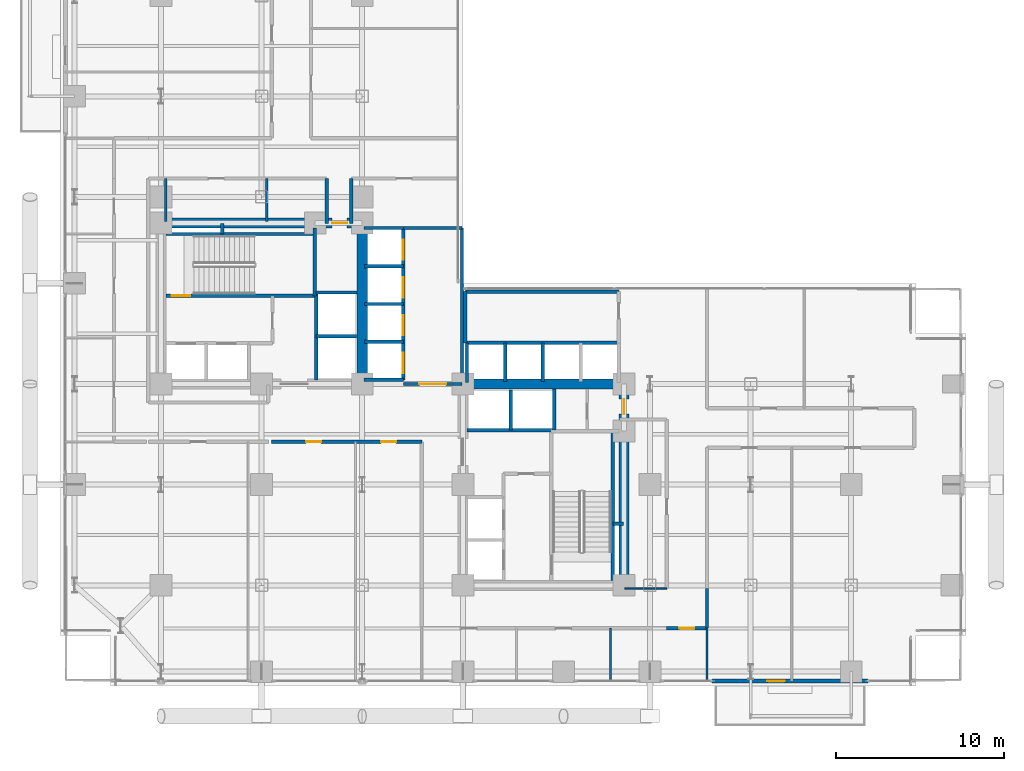
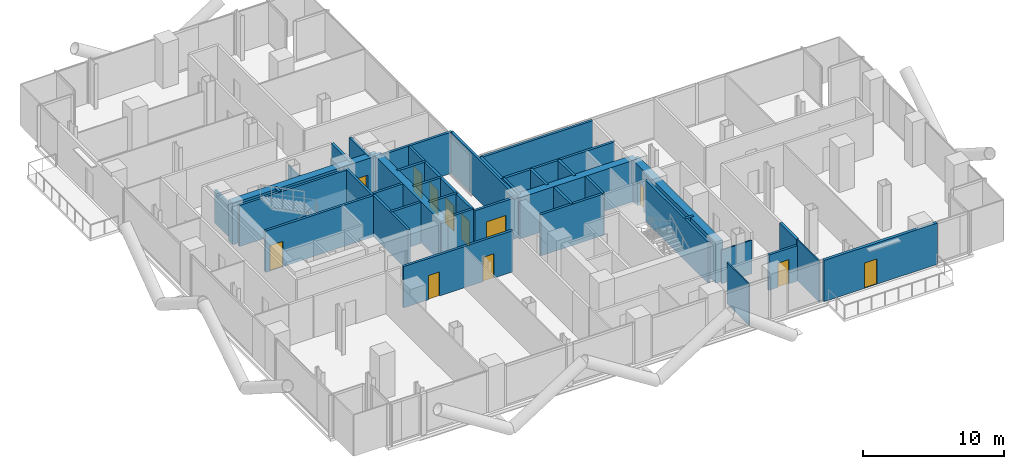
# One storey, part 22 of 27: 42 walls, 12 doors, 12 openings.
"""IFC4 building model written with IfcOpenShell, lengths in metres."""

from ifc_helpers import new_model, si_unit, direction, frame, frame_2d, origin, place, context, subcontext, project, spatial, rectangle, extrude, material, layer, layer_set, type_object, element, fill, save


model = new_model("IFC4")

# Units and contexts
model_context = context("Model", 3, precision=1e-05, world=origin(), true_north=direction((0.0, 1.0)))
body_context = subcontext(model_context, "Body", "Model", "MODEL_VIEW")
ifc_project = project(units=[si_unit("LENGTHUNIT", "METRE"), si_unit("AREAUNIT", "SQUARE_METRE"), si_unit("VOLUMEUNIT", "CUBIC_METRE"), si_unit("PLANEANGLEUNIT", "RADIAN"), si_unit("MASSUNIT", "GRAM", prefix="KILO"), si_unit("THERMODYNAMICTEMPERATUREUNIT", "KELVIN"), si_unit("POWERUNIT", "WATT")], contexts=[model_context])

# Site, building, storey
site_placement = place(None, origin())
site = spatial("IfcSite", under=ifc_project, at=site_placement, CompositionType="ELEMENT")
building_placement = place(site_placement, origin())
building = spatial("IfcBuilding", under=site, at=building_placement, Name="Svarakhadi Broadcast Tower", CompositionType="ELEMENT")
storey_placement = place(building_placement, frame((0.0, 0.0, 90.89990234375)))
storey = spatial("IfcBuildingStorey", under=building, at=storey_placement, Name="L21", CompositionType="ELEMENT", Elevation=90.89990234375)

# Wall, opening, door
ifc_material_1 = material(Name="Concrete C40/50 (IS 456 M50)", Category="concrete")
ifc_layer_1 = layer(ifc_material_1, 0.239990234375)
ifc_layer_set_1 = layer_set([ifc_layer_1], Name="Concrete C40/50 (IS 456 M50)")
wall_type_1 = type_object("IfcWallType", Name="Wall_Ext_240", PredefinedType="SOLIDWALL", material=ifc_layer_set_1)
wall_1_placement = place(storey_placement, frame((48.14501953125, 0.300048828125, 0.0), z_axis=(0.0, 0.0, 1.0), x_axis=(-1.0, 0.0, 0.0)))
wall_1 = element("IfcWall", 1, at=wall_1_placement, inside=storey, type_object=wall_type_1, Name="L21 South Tree Balcony Spandrel Wall", PredefinedType="SOLIDWALL", context=body_context, shape_type="SweptSolid", body=[
    extrude(rectangle(XDim=9.2900390625, YDim=0.239990234375, at=frame_2d((4.64501953125, 0.0))), origin(), (0.0, 0.0, 1.0), 3.5751953125),
])
opening_1_placement = place(wall_1_placement, frame((4.949951171875, 0.0, 0.0)))
opening_1 = element("IfcOpeningElement", 2, at=opening_1_placement, cuts=wall_1, Name="Opening ED-05", PredefinedType="OPENING", context=body_context, shape_type="SweptSolid", body=[
    extrude(rectangle(XDim=1.050048828125, YDim=2.199951171875, at=frame_2d((0.52490234375, 1.10009765625))), frame((0.0, 0.1298828125, 0.0), z_axis=(0.0, -1.0, 0.0), x_axis=(1.0, 0.0, 0.0)), (0.0, 0.0, 1.0), 0.260009765625),
])
ifc_material_2 = material(Name="Anodised Bronze Aluminium AA 6063-T6", Category="aluminium")
door_type_1 = type_object("IfcDoorType", Name="Door_Ext_ED05", OperationType="SINGLE_SWING_LEFT", PredefinedType="DOOR", material=ifc_material_2)
door_1_placement = place(opening_1_placement, origin())
door_1 = element("IfcDoor", 3, at=door_1_placement, inside=storey, type_object=door_type_1, Name="L21 South Tree Balcony Door", OperationType="SINGLE_SWING_LEFT", OverallHeight=2.199951171875, OverallWidth=1.050048828125, PredefinedType="DOOR", context=body_context, shape_type="SweptSolid", body=[
    extrude(rectangle(XDim=1.050048828125, YDim=2.199951171875, at=frame_2d((0.52490234375, 1.10009765625))), frame((0.0, 0.02490234375, 0.0), z_axis=(0.0, -1.0, 0.0), x_axis=(1.0, 0.0, 0.0)), (0.0, 0.0, 1.0), 0.050048828125),
])
fill(opening_1, door_1)

# Walls
ifc_layer_2 = layer(ifc_material_1, 0.199951171875)
ifc_layer_set_2 = layer_set([ifc_layer_2], Name="Concrete C40/50 (IS 456 M50)")
wall_type_2 = type_object("IfcWallType", Name="Wall_Fire_200", PredefinedType="SOLIDWALL", material=ifc_layer_set_2)
for number, where, z_axis, x_axis, name in (
    (4, (9.659912109375, 26.93994140625, 0.0), (0.0, 0.0, 1.0), (0.0, 1.0, 0.0), "L21 Wet Riser Shaft East Wall"),
    (5, (32.93994140625, 9.659912109375, 0.0), (0.0, 0.0, 1.0), (1.0, 0.0, 0.0), "L21 HV Busduct Riser Shaft North Wall"),
):
    element("IfcWall", number, at=place(storey_placement, frame(where, z_axis=z_axis, x_axis=x_axis)), inside=storey, type_object=wall_type_2, Name=name, PredefinedType="SOLIDWALL", context=body_context, shape_type="SweptSolid", body=[
        extrude(rectangle(XDim=0.64013671875, YDim=0.199951171875, at=frame_2d((0.320068359375, 0.0))), origin(), (0.0, 0.0, 1.0), 3.5751953125),
    ])
wall_2_placement = place(storey_placement, frame((38.550048828125, 5.800048828125, 0.0), z_axis=(0.0, 0.0, 1.0), x_axis=(0.0, -1.0, 0.0)))
element("IfcWall", 6, at=wall_2_placement, inside=storey, type_object=wall_type_2, Name="L21 Broadcast Corridor Wall", PredefinedType="SOLIDWALL", context=body_context, shape_type="SweptSolid", body=[
    extrude(rectangle(XDim=2.35009765625, YDim=0.199951171875, at=frame_2d((1.175048828125, 0.0))), origin(), (0.0, 0.0, 1.0), 3.5751953125),
])

# Wall, opening, door
wall_3_placement = place(storey_placement, frame((38.550048828125, 3.449951171875, 0.0), z_axis=(0.0, 0.0, 1.0), x_axis=(-1.0, 0.0, 0.0)))
wall_3 = element("IfcWall", 7, at=wall_3_placement, inside=storey, type_object=wall_type_2, Name="L21 Broadcast Corridor Wall", PredefinedType="SOLIDWALL", context=body_context, shape_type="SweptSolid", body=[
    extrude(rectangle(XDim=2.400146484375, YDim=0.199951171875, at=frame_2d((1.2001953125, 0.0))), origin(), (0.0, 0.0, 1.0), 3.067138671875),
])
opening_2_placement = place(wall_3_placement, frame((0.75, 0.0, 0.0)))
opening_2 = element("IfcOpeningElement", 8, at=opening_2_placement, cuts=wall_3, Name="Opening D-15", PredefinedType="OPENING", context=body_context, shape_type="SweptSolid", body=[
    extrude(rectangle(XDim=0.89990234375, YDim=2.10009765625, at=frame_2d((0.449951171875, 1.050048828125))), frame((0.0, 0.10986328125, 0.0), z_axis=(0.0, -1.0, 0.0), x_axis=(1.0, 0.0, 0.0)), (0.0, 0.0, 1.0), 0.219970703125),
])
ifc_material_3 = material(Name="Solid-Core Teak Veneer Acoustic Timber Leaf", Category="wood")
door_type_2 = type_object("IfcDoorType", Name="Door_Int_D15", OperationType="SINGLE_SWING_RIGHT", PredefinedType="DOOR", material=ifc_material_3)
door_2_placement = place(opening_2_placement, origin())
door_2 = element("IfcDoor", 9, at=door_2_placement, inside=storey, type_object=door_type_2, Name="L21 Broadcast Staff Refreshment Pantry Door", OperationType="SINGLE_SWING_RIGHT", OverallHeight=2.10009765625, OverallWidth=0.89990234375, PredefinedType="DOOR", context=body_context, shape_type="SweptSolid", body=[
    extrude(rectangle(XDim=0.89990234375, YDim=2.10009765625, at=frame_2d((0.449951171875, 1.050048828125))), frame((0.0, 0.02490234375, 0.0), z_axis=(0.0, -1.0, 0.0), x_axis=(1.0, 0.0, 0.0)), (0.0, 0.0, 1.0), 0.050048828125),
])
fill(opening_2, door_2)

# Wall, openings, doors
wall_4_placement = place(storey_placement, frame((21.550048828125, 14.550048828125, 0.0), z_axis=(0.0, 0.0, 1.0), x_axis=(-1.0, 0.0, 0.0)))
wall_4 = element("IfcWall", 10, at=wall_4_placement, inside=storey, type_object=wall_type_2, Name="L21 Broadcast Corridor Wall", PredefinedType="SOLIDWALL", context=body_context, shape_type="SweptSolid", body=[
    extrude(rectangle(XDim=8.949951171875, YDim=0.199951171875, at=frame_2d((4.47509765625, 0.0))), origin(), (0.0, 0.0, 1.0), 3.5751953125),
])
opening_3_placement = place(wall_4_placement, frame((6.0, 0.0, 0.0)))
opening_3 = element("IfcOpeningElement", 11, at=opening_3_placement, cuts=wall_4, Name="Opening D-14", PredefinedType="OPENING", context=body_context, shape_type="SweptSolid", body=[
    extrude(rectangle(XDim=0.89990234375, YDim=2.10009765625, at=frame_2d((0.449951171875, 1.050048828125))), frame((0.0, 0.10986328125, 0.0), z_axis=(0.0, -1.0, 0.0), x_axis=(1.0, 0.0, 0.0)), (0.0, 0.0, 1.0), 0.219970703125),
])
opening_4_placement = place(wall_4_placement, frame((1.52490234375, 0.0, 0.0)))
opening_4 = element("IfcOpeningElement", 12, at=opening_4_placement, cuts=wall_4, Name="Opening D-15", PredefinedType="OPENING", context=body_context, shape_type="SweptSolid", body=[
    extrude(rectangle(XDim=0.89990234375, YDim=2.10009765625, at=frame_2d((0.449951171875, 1.050048828125))), frame((0.0, 0.10986328125, 0.0), z_axis=(0.0, -1.0, 0.0), x_axis=(1.0, 0.0, 0.0)), (0.0, 0.0, 1.0), 0.219970703125),
])
door_type_3 = type_object("IfcDoorType", Name="Door_Int_D14", OperationType="SINGLE_SWING_LEFT", PredefinedType="DOOR", material=ifc_material_3)
door_3_placement = place(opening_3_placement, origin())
door_3 = element("IfcDoor", 13, at=door_3_placement, inside=storey, type_object=door_type_3, Name="L21 Standards and Practices Boardroom Door", OperationType="SINGLE_SWING_LEFT", OverallHeight=2.10009765625, OverallWidth=0.89990234375, PredefinedType="DOOR", context=body_context, shape_type="SweptSolid", body=[
    extrude(rectangle(XDim=0.89990234375, YDim=2.10009765625, at=frame_2d((0.449951171875, 1.050048828125))), frame((0.0, 0.02490234375, 0.0), z_axis=(0.0, -1.0, 0.0), x_axis=(1.0, 0.0, 0.0)), (0.0, 0.0, 1.0), 0.050048828125),
])
fill(opening_3, door_3)
door_4_placement = place(opening_4_placement, origin())
door_4 = element("IfcDoor", 14, at=door_4_placement, inside=storey, type_object=door_type_2, Name="L21 Executive Secretariat Door", OperationType="SINGLE_SWING_RIGHT", OverallHeight=2.10009765625, OverallWidth=0.89990234375, PredefinedType="DOOR", context=body_context, shape_type="SweptSolid", body=[
    extrude(rectangle(XDim=0.89990234375, YDim=2.10009765625, at=frame_2d((0.449951171875, 1.050048828125))), frame((0.0, 0.02490234375, 0.0), z_axis=(0.0, -1.0, 0.0), x_axis=(1.0, 0.0, 0.0)), (0.0, 0.0, 1.0), 0.050048828125),
])
fill(opening_4, door_4)

# Walls
for number, where, z_axis, x_axis, name in (
    (15, (17.35009765625, 30.25, 0.0), (0.0, 0.0, 1.0), (0.0, -1.0, 0.0), "L21 Broadcast Corridor Wall"),
    (16, (15.8798828125, 27.580078125, 0.0), (0.0, 0.0, 1.0), (0.0, 1.0, 0.0), "L21 Broadcast Corridor Wall"),
):
    element("IfcWall", number, at=place(storey_placement, frame(where, z_axis=z_axis, x_axis=x_axis)), inside=storey, type_object=wall_type_2, Name=name, PredefinedType="SOLIDWALL", context=body_context, shape_type="SweptSolid", body=[
        extrude(rectangle(XDim=2.669921875, YDim=0.199951171875, at=frame_2d((1.3349609375, 0.0))), origin(), (0.0, 0.0, 1.0), 3.5751953125),
    ])
ifc_material_4 = material(Name="Fire-Rated Moisture-Resistant Gypsum Board Partition", Category="gypsum")
ifc_layer_3 = layer(ifc_material_4, 0.10009765625)
ifc_layer_set_3 = layer_set([ifc_layer_3], Name="Fire-Rated Moisture-Resistant Gypsum Board Partition")
wall_type_3 = type_object("IfcWallType", Name="Wall_Part_100", PredefinedType="PARTITIONING", material=ifc_layer_set_3)
for number, where, z_axis, x_axis, name in (
    (17, (32.800048828125, 0.300048828125, 0.0), (0.0, 0.0, 1.0), (0.0, 1.0, 0.0), "L21 Media Legal Review Office Wall"),
    (18, (38.550048828125, 0.300048828125, 0.0), (0.0, 0.0, 1.0), (0.0, 1.0, 0.0), "L21 Broadcast Staff Refreshment Pantry Wall"),
):
    element("IfcWall", number, at=place(storey_placement, frame(where, z_axis=z_axis, x_axis=x_axis)), inside=storey, type_object=wall_type_3, Name=name, PredefinedType="PARTITIONING", context=body_context, shape_type="SweptSolid", body=[
        extrude(rectangle(XDim=3.14990234375, YDim=0.10009765625, at=frame_2d((1.574951171875, 0.0))), origin(), (0.0, 0.0, 1.0), 3.5751953125),
    ])
wall_5_placement = place(storey_placement, frame((33.64990234375, 5.800048828125, 0.0), z_axis=(0.0, 0.0, 1.0), x_axis=(1.0, 0.0, 0.0)))
element("IfcWall", 19, at=wall_5_placement, inside=storey, type_object=wall_type_3, Name="L21 Live Feed Monitoring Studio Wall", PredefinedType="PARTITIONING", context=body_context, shape_type="SweptSolid", body=[
    extrude(rectangle(XDim=2.5, YDim=0.10009765625, at=frame_2d((1.25, 0.0))), origin(), (0.0, 0.0, 1.0), 2.9169921875),
])
ifc_material_5 = material(Name="Autoclaved Aerated Concrete Blockwork 150 mm", Category="masonry")
ifc_layer_4 = layer(ifc_material_5, 0.14990234375)
ifc_layer_set_4 = layer_set([ifc_layer_4], Name="Autoclaved Aerated Concrete Blockwork 150 mm")
wall_type_4 = type_object("IfcWallType", Name="Wall_Part_150", PredefinedType="PARTITIONING", material=ifc_layer_set_4)
for number, where, z_axis, x_axis, name in (
    (20, (6.300048828125, 27.679931640625, 0.0), (0.0, 0.0, 1.0), (0.0, 1.0, 0.0), "L21 Accessible Toilet WC Wall"),
    (21, (12.300048828125, 27.679931640625, 0.0), (0.0, 0.0, 1.0), (0.0, 1.0, 0.0), "L21 Accessible Toilet WC Wall"),
):
    element("IfcWall", number, at=place(storey_placement, frame(where, z_axis=z_axis, x_axis=x_axis)), inside=storey, type_object=wall_type_4, Name=name, PredefinedType="PARTITIONING", context=body_context, shape_type="SweptSolid", body=[
        extrude(rectangle(XDim=2.570068359375, YDim=0.14990234375, at=frame_2d((1.28515625, 0.0))), origin(), (0.0, 0.0, 1.0), 2.9169921875),
    ])

# Wall, opening, door
ifc_material_6 = material(Name="Concrete C50/60 (IS 456 M60)", Category="concrete")
ifc_layer_5 = layer(ifc_material_6, 0.199951171875)
ifc_layer_set_5 = layer_set([ifc_layer_5], Name="Concrete C50/60 (IS 456 M60)")
wall_type_5 = type_object("IfcWallType", Name="Wall_Shear_200", PredefinedType="SHEAR", material=ifc_layer_set_5)
wall_6_placement = place(storey_placement, frame((6.300048828125, 23.260009765625, 0.0), z_axis=(0.0, 0.0, 1.0), x_axis=(1.0, 0.0, 0.0)))
wall_6 = element("IfcWall", 22, at=wall_6_placement, inside=storey, type_object=wall_type_5, Name="L21 Stair ST-01 South RC Shaft Wall", PredefinedType="SHEAR", context=body_context, shape_type="SweptSolid", body=[
    extrude(rectangle(XDim=8.8798828125, YDim=0.199951171875, at=frame_2d((4.43994140625, 0.0))), origin(), (0.0, 0.0, 1.0), 3.5751953125),
])
opening_5_placement = place(wall_6_placement, frame((0.35009765625, 0.0, 0.0)))
opening_5 = element("IfcOpeningElement", 23, at=opening_5_placement, cuts=wall_6, Name="Opening D-01", PredefinedType="OPENING", context=body_context, shape_type="SweptSolid", body=[
    extrude(rectangle(XDim=1.10009765625, YDim=2.199951171875, at=frame_2d((0.550048828125, 1.10009765625))), frame((0.0, 0.10986328125, 0.0), z_axis=(0.0, -1.0, 0.0), x_axis=(1.0, 0.0, 0.0)), (0.0, 0.0, 1.0), 0.219970703125),
])
ifc_material_7 = material(Name="Galvanised Powder-Coated Fire-Rated Steel Leaf", Category="steel")
door_type_4 = type_object("IfcDoorType", Name="Door_Stair_D01", OperationType="SINGLE_SWING_LEFT", PredefinedType="DOOR", material=ifc_material_7)
door_5_placement = place(opening_5_placement, origin())
door_5 = element("IfcDoor", 24, at=door_5_placement, inside=storey, type_object=door_type_4, Name="L21 Protected Exit Stair ST-01 Fire Door", OperationType="SINGLE_SWING_LEFT", OverallHeight=2.199951171875, OverallWidth=1.10009765625, PredefinedType="DOOR", context=body_context, shape_type="SweptSolid", body=[
    extrude(rectangle(XDim=1.10009765625, YDim=2.199951171875, at=frame_2d((0.550048828125, 1.10009765625))), frame((0.0, 0.02490234375, 0.0), z_axis=(0.0, -1.0, 0.0), x_axis=(1.0, 0.0, 0.0)), (0.0, 0.0, 1.0), 0.050048828125),
])
fill(opening_5, door_5)

# Walls
wall_7_placement = place(storey_placement, frame((6.300048828125, 26.93994140625, 0.0), z_axis=(0.0, 0.0, 1.0), x_axis=(1.0, 0.0, 0.0)))
element("IfcWall", 25, at=wall_7_placement, inside=storey, type_object=wall_type_5, Name="L21 Stair ST-01 North RC Shaft Wall", PredefinedType="SHEAR", context=body_context, shape_type="SweptSolid", body=[
    extrude(rectangle(XDim=8.8798828125, YDim=0.199951171875, at=frame_2d((4.43994140625, 0.0))), origin(), (0.0, 0.0, 1.0), 3.5751953125),
])
wall_8_placement = place(storey_placement, frame((15.179931640625, 23.260009765625, 0.0), z_axis=(0.0, 0.0, 1.0), x_axis=(0.0, 1.0, 0.0)))
element("IfcWall", 26, at=wall_8_placement, inside=storey, type_object=wall_type_5, Name="L21 Stair ST-01 East RC Shaft Wall", PredefinedType="SHEAR", context=body_context, shape_type="SweptSolid", body=[
    extrude(rectangle(XDim=4.0400390625, YDim=0.199951171875, at=frame_2d((2.02001953125, 0.0))), origin(), (0.0, 0.0, 1.0), 3.5751953125),
])
wall_9_placement = place(storey_placement, frame((32.93994140625, 6.300048828125, 0.0), z_axis=(0.0, 0.0, 1.0), x_axis=(0.0, 1.0, 0.0)))
element("IfcWall", 27, at=wall_9_placement, inside=storey, type_object=wall_type_5, Name="L21 Stair ST-02 East RC Shaft Wall", PredefinedType="SHEAR", context=body_context, shape_type="SweptSolid", body=[
    extrude(rectangle(XDim=8.8798828125, YDim=0.199951171875, at=frame_2d((4.43994140625, 0.0))), origin(), (0.0, 0.0, 1.0), 3.5751953125),
])
wall_10_placement = place(storey_placement, frame((15.25, 18.25, 0.0), z_axis=(0.0, 0.0, 1.0), x_axis=(0.0, 1.0, 0.0)))
element("IfcWall", 28, at=wall_10_placement, inside=storey, type_object=wall_type_5, Name="L21 High-Rise Lift LF-13/14 West Shaft Wall", PredefinedType="SHEAR", context=body_context, shape_type="SweptSolid", body=[
    extrude(rectangle(XDim=5.199951171875, YDim=0.199951171875, at=frame_2d((2.60009765625, 0.0))), origin(), (0.0, 0.0, 1.0), 3.5751953125),
])
wall_11_placement = place(storey_placement, frame((15.25, 20.85009765625, 0.0), z_axis=(0.0, 0.0, 1.0), x_axis=(1.0, 0.0, 0.0)))
element("IfcWall", 29, at=wall_11_placement, inside=storey, type_object=wall_type_5, Name="L21 High-Rise Lift LF-13/14 Divider", PredefinedType="SHEAR", context=body_context, shape_type="SweptSolid", body=[
    extrude(rectangle(XDim=2.39990234375, YDim=0.199951171875, at=frame_2d((1.199951171875, 0.0))), origin(), (0.0, 0.0, 1.0), 3.5751953125),
])
wall_12_placement = place(storey_placement, frame((15.25, 23.449951171875, 0.0), z_axis=(0.0, 0.0, 1.0), x_axis=(1.0, 0.0, 0.0)))
element("IfcWall", 30, at=wall_12_placement, inside=storey, type_object=wall_type_5, Name="L21 High-Rise Lift LF-13/14 North Wall", PredefinedType="SHEAR", context=body_context, shape_type="SweptSolid", body=[
    extrude(rectangle(XDim=2.449951171875, YDim=0.199951171875, at=frame_2d((1.22509765625, 0.0))), origin(), (0.0, 0.0, 1.0), 3.5751953125),
])
wall_13_placement = place(storey_placement, frame((24.25, 15.25, 0.0), z_axis=(0.0, 0.0, 1.0), x_axis=(1.0, 0.0, 0.0)))
element("IfcWall", 31, at=wall_13_placement, inside=storey, type_object=wall_type_5, Name="L21 High-Rise Lift LF-15/16 South Shaft Wall", PredefinedType="SHEAR", context=body_context, shape_type="SweptSolid", body=[
    extrude(rectangle(XDim=5.199951171875, YDim=0.199951171875, at=frame_2d((2.60009765625, 0.0))), origin(), (0.0, 0.0, 1.0), 3.5751953125),
])
wall_14_placement = place(storey_placement, frame((26.85009765625, 15.25, 0.0), z_axis=(0.0, 0.0, 1.0), x_axis=(0.0, 1.0, 0.0)))
element("IfcWall", 32, at=wall_14_placement, inside=storey, type_object=wall_type_5, Name="L21 High-Rise Lift LF-15/16 Divider", PredefinedType="SHEAR", context=body_context, shape_type="SweptSolid", body=[
    extrude(rectangle(XDim=2.39990234375, YDim=0.199951171875, at=frame_2d((1.199951171875, 0.0))), origin(), (0.0, 0.0, 1.0), 3.5751953125),
])
wall_15_placement = place(storey_placement, frame((29.449951171875, 15.25, 0.0), z_axis=(0.0, 0.0, 1.0), x_axis=(0.0, 1.0, 0.0)))
element("IfcWall", 33, at=wall_15_placement, inside=storey, type_object=wall_type_5, Name="L21 High-Rise Lift LF-15/16 East Wall", PredefinedType="SHEAR", context=body_context, shape_type="SweptSolid", body=[
    extrude(rectangle(XDim=2.449951171875, YDim=0.199951171875, at=frame_2d((1.22509765625, 0.0))), origin(), (0.0, 0.0, 1.0), 3.5751953125),
])
for number, where, z_axis, x_axis, name in (
    (34, (18.10009765625, 27.300048828125, 0.0), (0.0, 0.0, 1.0), (1.0, 0.0, 0.0), "L21 Bank A North Shaft Wall"),
    (35, (18.10009765625, 18.25, 0.0), (0.0, 0.0, 1.0), (1.0, 0.0, 0.0), "L21 Bank A South Shaft Wall"),
):
    element("IfcWall", number, at=place(storey_placement, frame(where, z_axis=z_axis, x_axis=x_axis)), inside=storey, type_object=wall_type_5, Name=name, PredefinedType="SHEAR", context=body_context, shape_type="SweptSolid", body=[
        extrude(rectangle(XDim=2.349853515625, YDim=0.199951171875, at=frame_2d((1.1748046875, 0.0))), origin(), (0.0, 0.0, 1.0), 3.5751953125),
    ])

# Wall, openings, doors
wall_16_placement = place(storey_placement, frame((20.449951171875, 18.25, 0.0), z_axis=(0.0, 0.0, 1.0), x_axis=(0.0, 1.0, 0.0)))
wall_16 = element("IfcWall", 36, at=wall_16_placement, inside=storey, type_object=wall_type_5, Name="L21 Bank A East Landing Wall", PredefinedType="SHEAR", context=body_context, shape_type="SweptSolid", body=[
    extrude(rectangle(XDim=9.050048828125, YDim=0.199951171875, at=frame_2d((4.52490234375, 0.0))), origin(), (0.0, 0.0, 1.0), 3.5751953125),
])
opening_6_placement = place(wall_16_placement, frame((0.39990234375, 0.0, 0.0)))
opening_6 = element("IfcOpeningElement", 37, at=opening_6_placement, cuts=wall_16, Name="Opening LD-02", PredefinedType="OPENING", context=body_context, shape_type="SweptSolid", body=[
    extrude(rectangle(XDim=1.199951171875, YDim=2.199951171875, at=frame_2d((0.60009765625, 1.10009765625))), frame((0.0, 0.10986328125, 0.0), z_axis=(0.0, -1.0, 0.0), x_axis=(1.0, 0.0, 0.0)), (0.0, 0.0, 1.0), 0.219970703125),
])
opening_7_placement = place(wall_16_placement, frame((2.64990234375, 0.0, 0.0)))
opening_7 = element("IfcOpeningElement", 38, at=opening_7_placement, cuts=wall_16, Name="Opening LD-02", PredefinedType="OPENING", context=body_context, shape_type="SweptSolid", body=[
    extrude(rectangle(XDim=1.199951171875, YDim=2.199951171875, at=frame_2d((0.60009765625, 1.10009765625))), frame((0.0, 0.10986328125, 0.0), z_axis=(0.0, -1.0, 0.0), x_axis=(1.0, 0.0, 0.0)), (0.0, 0.0, 1.0), 0.219970703125),
])
opening_8_placement = place(wall_16_placement, frame((4.89990234375, 0.0, 0.0)))
opening_8 = element("IfcOpeningElement", 39, at=opening_8_placement, cuts=wall_16, Name="Opening LD-02", PredefinedType="OPENING", context=body_context, shape_type="SweptSolid", body=[
    extrude(rectangle(XDim=1.199951171875, YDim=2.199951171875, at=frame_2d((0.60009765625, 1.10009765625))), frame((0.0, 0.10986328125, 0.0), z_axis=(0.0, -1.0, 0.0), x_axis=(1.0, 0.0, 0.0)), (0.0, 0.0, 1.0), 0.219970703125),
])
opening_9_placement = place(wall_16_placement, frame((7.14990234375, 0.0, 0.0)))
opening_9 = element("IfcOpeningElement", 40, at=opening_9_placement, cuts=wall_16, Name="Opening LD-02", PredefinedType="OPENING", context=body_context, shape_type="SweptSolid", body=[
    extrude(rectangle(XDim=1.199951171875, YDim=2.199951171875, at=frame_2d((0.60009765625, 1.10009765625))), frame((0.0, 0.10986328125, 0.0), z_axis=(0.0, -1.0, 0.0), x_axis=(1.0, 0.0, 0.0)), (0.0, 0.0, 1.0), 0.219970703125),
])
door_type_5 = type_object("IfcDoorType", Name="Door_Lift_LD02", OperationType="SLIDING_TO_RIGHT", PredefinedType="DOOR", material=ifc_material_7)
door_6_placement = place(opening_6_placement, origin())
door_6 = element("IfcDoor", 41, at=door_6_placement, inside=storey, type_object=door_type_5, Name="L21 Low-Rise Lift LF-05 Landing Door", OperationType="SLIDING_TO_RIGHT", OverallHeight=2.199951171875, OverallWidth=1.199951171875, PredefinedType="DOOR", context=body_context, shape_type="SweptSolid", body=[
    extrude(rectangle(XDim=1.199951171875, YDim=2.199951171875, at=frame_2d((0.60009765625, 1.10009765625))), frame((0.0, 0.02490234375, 0.0), z_axis=(0.0, -1.0, 0.0), x_axis=(1.0, 0.0, 0.0)), (0.0, 0.0, 1.0), 0.050048828125),
])
fill(opening_6, door_6)
door_7_placement = place(opening_7_placement, origin())
door_7 = element("IfcDoor", 42, at=door_7_placement, inside=storey, type_object=door_type_5, Name="L21 Low-Rise Lift LF-06 Landing Door", OperationType="SLIDING_TO_RIGHT", OverallHeight=2.199951171875, OverallWidth=1.199951171875, PredefinedType="DOOR", context=body_context, shape_type="SweptSolid", body=[
    extrude(rectangle(XDim=1.199951171875, YDim=2.199951171875, at=frame_2d((0.60009765625, 1.10009765625))), frame((0.0, 0.02490234375, 0.0), z_axis=(0.0, -1.0, 0.0), x_axis=(1.0, 0.0, 0.0)), (0.0, 0.0, 1.0), 0.050048828125),
])
fill(opening_7, door_7)
door_8_placement = place(opening_8_placement, origin())
door_8 = element("IfcDoor", 43, at=door_8_placement, inside=storey, type_object=door_type_5, Name="L21 Low-Rise Lift LF-07 Landing Door", OperationType="SLIDING_TO_RIGHT", OverallHeight=2.199951171875, OverallWidth=1.199951171875, PredefinedType="DOOR", context=body_context, shape_type="SweptSolid", body=[
    extrude(rectangle(XDim=1.199951171875, YDim=2.199951171875, at=frame_2d((0.60009765625, 1.10009765625))), frame((0.0, 0.02490234375, 0.0), z_axis=(0.0, -1.0, 0.0), x_axis=(1.0, 0.0, 0.0)), (0.0, 0.0, 1.0), 0.050048828125),
])
fill(opening_8, door_8)
door_9_placement = place(opening_9_placement, origin())
door_9 = element("IfcDoor", 44, at=door_9_placement, inside=storey, type_object=door_type_5, Name="L21 Low-Rise Lift LF-08 Landing Door", OperationType="SLIDING_TO_RIGHT", OverallHeight=2.199951171875, OverallWidth=1.199951171875, PredefinedType="DOOR", context=body_context, shape_type="SweptSolid", body=[
    extrude(rectangle(XDim=1.199951171875, YDim=2.199951171875, at=frame_2d((0.60009765625, 1.10009765625))), frame((0.0, 0.02490234375, 0.0), z_axis=(0.0, -1.0, 0.0), x_axis=(1.0, 0.0, 0.0)), (0.0, 0.0, 1.0), 0.050048828125),
])
fill(opening_9, door_9)

# Walls
for number, where, z_axis, x_axis, name in (
    (45, (18.14990234375, 20.52001953125, 0.0), (0.0, 0.0, 1.0), (1.0, 0.0, 0.0), "L21 Bank A Divider"),
    (46, (18.14990234375, 22.77001953125, 0.0), (0.0, 0.0, 1.0), (1.0, 0.0, 0.0), "L21 Bank A Divider"),
    (47, (18.14990234375, 25.02001953125, 0.0), (0.0, 0.0, 1.0), (1.0, 0.0, 0.0), "L21 Bank A Divider"),
):
    element("IfcWall", number, at=place(storey_placement, frame(where, z_axis=z_axis, x_axis=x_axis)), inside=storey, type_object=wall_type_5, Name=name, PredefinedType="SHEAR", context=body_context, shape_type="SweptSolid", body=[
        extrude(rectangle(XDim=2.300048828125, YDim=0.199951171875, at=frame_2d((1.14990234375, 0.0))), origin(), (0.0, 0.0, 1.0), 3.5751953125),
    ])

# Wall, opening, door
wall_17_placement = place(storey_placement, frame((20.449951171875, 18.0, 0.0), z_axis=(0.0, 0.0, 1.0), x_axis=(1.0, 0.0, 0.0)))
wall_17 = element("IfcWall", 48, at=wall_17_placement, inside=storey, type_object=wall_type_5, Name="L21 Bank A Lift Hall South Wall", PredefinedType="SHEAR", context=body_context, shape_type="SweptSolid", body=[
    extrude(rectangle(XDim=3.5, YDim=0.199951171875, at=frame_2d((1.75, 0.0))), origin(), (0.0, 0.0, 1.0), 3.5751953125),
])
opening_10_placement = place(wall_17_placement, frame((0.949951171875, 0.0, 0.0)))
opening_10 = element("IfcOpeningElement", 49, at=opening_10_placement, cuts=wall_17, Name="Opening D-05", PredefinedType="OPENING", context=body_context, shape_type="SweptSolid", body=[
    extrude(rectangle(XDim=1.60009765625, YDim=2.300048828125, at=frame_2d((0.800048828125, 1.14990234375))), frame((0.0, 0.10986328125, 0.0), z_axis=(0.0, -1.0, 0.0), x_axis=(1.0, 0.0, 0.0)), (0.0, 0.0, 1.0), 0.219970703125),
])
door_type_6 = type_object("IfcDoorType", Name="Door_Lobby_D05", OperationType="DOUBLE_DOOR_SLIDING", PredefinedType="DOOR", material=ifc_material_2)
door_10_placement = place(opening_10_placement, origin())
door_10 = element("IfcDoor", 50, at=door_10_placement, inside=storey, type_object=door_type_6, Name="L21 Low-Rise Lift Hall Corridor Door", OperationType="DOUBLE_DOOR_SLIDING", OverallHeight=2.300048828125, OverallWidth=1.60009765625, PredefinedType="DOOR", context=body_context, shape_type="SweptSolid", body=[
    extrude(rectangle(XDim=1.60009765625, YDim=2.300048828125, at=frame_2d((0.800048828125, 1.14990234375))), frame((0.0, 0.02490234375, 0.0), z_axis=(0.0, -1.0, 0.0), x_axis=(1.0, 0.0, 0.0)), (0.0, 0.0, 1.0), 0.050048828125),
])
fill(opening_10, door_10)

# Walls
wall_18_placement = place(storey_placement, frame((20.449951171875, 27.300048828125, 0.0), z_axis=(0.0, 0.0, 1.0), x_axis=(1.0, 0.0, 0.0)))
element("IfcWall", 51, at=wall_18_placement, inside=storey, type_object=wall_type_5, Name="L21 Bank A Lift Hall North Wall", PredefinedType="SHEAR", context=body_context, shape_type="SweptSolid", body=[
    extrude(rectangle(XDim=3.5, YDim=0.199951171875, at=frame_2d((1.75, 0.0))), origin(), (0.0, 0.0, 1.0), 3.5751953125),
])
wall_19_placement = place(storey_placement, frame((23.949951171875, 18.0, 0.0), z_axis=(0.0, 0.0, 1.0), x_axis=(0.0, 1.0, 0.0)))
element("IfcWall", 52, at=wall_19_placement, inside=storey, type_object=wall_type_5, Name="L21 Bank A Lift Hall East Wall", PredefinedType="SHEAR", context=body_context, shape_type="SweptSolid", body=[
    extrude(rectangle(XDim=9.300048828125, YDim=0.199951171875, at=frame_2d((4.64990234375, 0.0))), origin(), (0.0, 0.0, 1.0), 3.5751953125),
])
wall_20_placement = place(storey_placement, frame((24.25, 18.10009765625, 0.0), z_axis=(0.0, 0.0, 1.0), x_axis=(0.0, 1.0, 0.0)))
element("IfcWall", 53, at=wall_20_placement, inside=storey, type_object=wall_type_5, Name="L21 Bank B West Shaft Wall", PredefinedType="SHEAR", context=body_context, shape_type="SweptSolid", body=[
    extrude(rectangle(XDim=2.349853515625, YDim=0.199951171875, at=frame_2d((1.1748046875, 0.0))), origin(), (0.0, 0.0, 1.0), 3.5751953125),
])
wall_21_placement = place(storey_placement, frame((24.25, 20.449951171875, 0.0), z_axis=(0.0, 0.0, 1.0), x_axis=(1.0, 0.0, 0.0)))
element("IfcWall", 54, at=wall_21_placement, inside=storey, type_object=wall_type_5, Name="L21 Bank B North Landing Wall", PredefinedType="SHEAR", context=body_context, shape_type="SweptSolid", body=[
    extrude(rectangle(XDim=9.050048828125, YDim=0.199951171875, at=frame_2d((4.52490234375, 0.0))), origin(), (0.0, 0.0, 1.0), 3.5751953125),
])
for number, where, z_axis, x_axis, name in (
    (55, (26.52001953125, 18.14990234375, 0.0), (0.0, 0.0, 1.0), (0.0, 1.0, 0.0), "L21 Bank B Divider"),
    (56, (28.77001953125, 18.14990234375, 0.0), (0.0, 0.0, 1.0), (0.0, 1.0, 0.0), "L21 Bank B Divider"),
):
    element("IfcWall", number, at=place(storey_placement, frame(where, z_axis=z_axis, x_axis=x_axis)), inside=storey, type_object=wall_type_5, Name=name, PredefinedType="SHEAR", context=body_context, shape_type="SweptSolid", body=[
        extrude(rectangle(XDim=2.300048828125, YDim=0.199951171875, at=frame_2d((1.14990234375, 0.0))), origin(), (0.0, 0.0, 1.0), 3.5751953125),
    ])
wall_22_placement = place(storey_placement, frame((24.14990234375, 23.5, 0.0), z_axis=(0.0, 0.0, 1.0), x_axis=(1.0, 0.0, 0.0)))
element("IfcWall", 57, at=wall_22_placement, inside=storey, type_object=wall_type_5, Name="L21 Bank B Lift Hall North Wall", PredefinedType="SHEAR", context=body_context, shape_type="SweptSolid", body=[
    extrude(rectangle(XDim=9.150146484375, YDim=0.199951171875, at=frame_2d((4.5751953125, 0.0))), origin(), (0.0, 0.0, 1.0), 3.5751953125),
])
wall_23_placement = place(storey_placement, frame((24.14990234375, 20.449951171875, 0.0), z_axis=(0.0, 0.0, 1.0), x_axis=(0.0, 1.0, 0.0)))
element("IfcWall", 58, at=wall_23_placement, inside=storey, type_object=wall_type_5, Name="L21 Bank B Lift Hall West Wall", PredefinedType="SHEAR", context=body_context, shape_type="SweptSolid", body=[
    extrude(rectangle(XDim=3.050048828125, YDim=0.199951171875, at=frame_2d((1.52490234375, 0.0))), origin(), (0.0, 0.0, 1.0), 3.5751953125),
])

# Wall, opening, door
ifc_material_8 = material(Name="Concrete C60/75 (IS 456 M70)", Category="concrete")
ifc_layer_6 = layer(ifc_material_8, 0.60009765625)
ifc_layer_set_6 = layer_set([ifc_layer_6], Name="Concrete C60/75 (IS 456 M70)")
wall_type_6 = type_object("IfcWallType", Name="Wall_Shear_600", PredefinedType="SHEAR", material=ifc_layer_set_6)
wall_24_placement = place(storey_placement, frame((6.0, 27.60009765625, 0.0), z_axis=(0.0, 0.0, 1.0), x_axis=(1.0, 0.0, 0.0)))
wall_24 = element("IfcWall", 59, at=wall_24_placement, inside=storey, type_object=wall_type_6, Name="L21 West Core North Shear Wall", PredefinedType="SHEAR", context=body_context, shape_type="SweptSolid", body=[
    extrude(rectangle(XDim=12.0, YDim=0.60009765625, at=frame_2d((6.0, 0.0))), origin(), (0.0, 0.0, 1.0), 3.5751953125),
])
opening_11_placement = place(wall_24_placement, frame((10.199951171875, 0.0, 0.0)))
opening_11 = element("IfcOpeningElement", 60, at=opening_11_placement, cuts=wall_24, Name="Opening D-03", PredefinedType="OPENING", context=body_context, shape_type="SweptSolid", body=[
    extrude(rectangle(XDim=0.89990234375, YDim=2.14990234375, at=frame_2d((0.449951171875, 1.074951171875))), frame((0.0, 0.31005859375, 0.0), z_axis=(0.0, -1.0, 0.0), x_axis=(1.0, 0.0, 0.0)), (0.0, 0.0, 1.0), 0.6201171875),
])
door_type_7 = type_object("IfcDoorType", Name="Door_Fire_D03", OperationType="SINGLE_SWING_LEFT", PredefinedType="DOOR", material=ifc_material_7)
door_11_placement = place(opening_11_placement, origin())
door_11 = element("IfcDoor", 61, at=door_11_placement, inside=storey, type_object=door_type_7, Name="L21 Core Meter Cupboard Door", OperationType="SINGLE_SWING_LEFT", OverallHeight=2.14990234375, OverallWidth=0.89990234375, PredefinedType="DOOR", context=body_context, shape_type="SweptSolid", body=[
    extrude(rectangle(XDim=0.89990234375, YDim=2.14990234375, at=frame_2d((0.449951171875, 1.074951171875))), frame((0.0, 0.02490234375, 0.0), z_axis=(0.0, -1.0, 0.0), x_axis=(1.0, 0.0, 0.0)), (0.0, 0.0, 1.0), 0.050048828125),
])
fill(opening_11, door_11)

# Walls
for number, where, z_axis, x_axis, name in (
    (62, (18.0, 18.0, 0.0), (0.0, 0.0, 1.0), (0.0, 1.0, 0.0), "L21 West Core East Shear Wall"),
    (63, (24.0, 18.0, 0.0), (0.0, 0.0, 1.0), (1.0, 0.0, 0.0), "L21 East Core North Shear Wall"),
):
    element("IfcWall", number, at=place(storey_placement, frame(where, z_axis=z_axis, x_axis=x_axis)), inside=storey, type_object=wall_type_6, Name=name, PredefinedType="SHEAR", context=body_context, shape_type="SweptSolid", body=[
        extrude(rectangle(XDim=9.60009765625, YDim=0.60009765625, at=frame_2d((4.800048828125, 0.0))), origin(), (0.0, 0.0, 1.0), 3.5751953125),
    ])

# Wall, opening, door
wall_25_placement = place(storey_placement, frame((33.60009765625, 6.0, 0.0), z_axis=(0.0, 0.0, 1.0), x_axis=(0.0, 1.0, 0.0)))
wall_25 = element("IfcWall", 64, at=wall_25_placement, inside=storey, type_object=wall_type_6, Name="L21 East Core East Shear Wall", PredefinedType="SHEAR", context=body_context, shape_type="SweptSolid", body=[
    extrude(rectangle(XDim=12.0, YDim=0.60009765625, at=frame_2d((6.0, 0.0))), origin(), (0.0, 0.0, 1.0), 3.5751953125),
])
opening_12_placement = place(wall_25_placement, frame((10.199951171875, 0.0, 0.0)))
opening_12 = element("IfcOpeningElement", 65, at=opening_12_placement, cuts=wall_25, Name="Opening D-03", PredefinedType="OPENING", context=body_context, shape_type="SweptSolid", body=[
    extrude(rectangle(XDim=0.89990234375, YDim=2.14990234375, at=frame_2d((0.449951171875, 1.074951171875))), frame((0.0, 0.31005859375, 0.0), z_axis=(0.0, -1.0, 0.0), x_axis=(1.0, 0.0, 0.0)), (0.0, 0.0, 1.0), 0.6201171875),
])
door_12_placement = place(opening_12_placement, origin())
door_12 = element("IfcDoor", 66, at=door_12_placement, inside=storey, type_object=door_type_7, Name="L21 Core Outer Service Store Door", OperationType="SINGLE_SWING_LEFT", OverallHeight=2.14990234375, OverallWidth=0.89990234375, PredefinedType="DOOR", context=body_context, shape_type="SweptSolid", body=[
    extrude(rectangle(XDim=0.89990234375, YDim=2.14990234375, at=frame_2d((0.449951171875, 1.074951171875))), frame((0.0, 0.02490234375, 0.0), z_axis=(0.0, -1.0, 0.0), x_axis=(1.0, 0.0, 0.0)), (0.0, 0.0, 1.0), 0.050048828125),
])
fill(opening_12, door_12)

save(model, "model.ifc")
